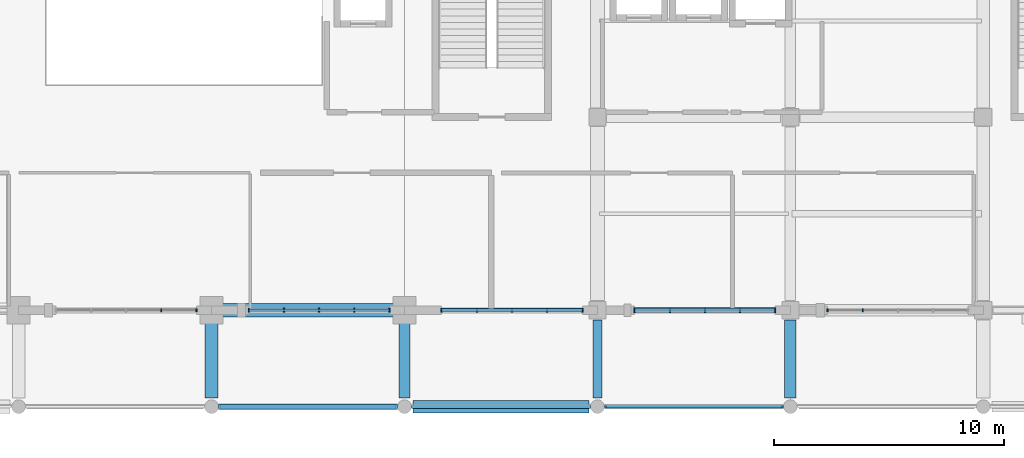
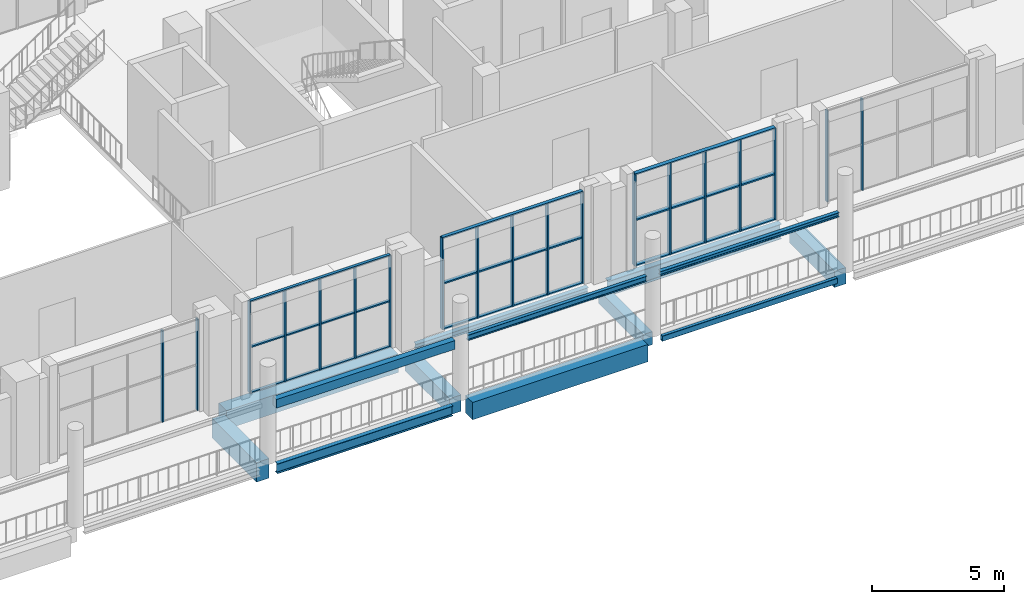
# One storey, part 22 of 75: 28 members, 13 beams, 5 elements without a shape of their own.
"""IFC4 building model written with IfcOpenShell, lengths in metres."""

from ifc_helpers import new_model, si_unit, derived_unit, direction, frame, origin, origin_2d, place, context, subcontext, project, spatial, rectangle, hollow_rectangle, i_section, extrude, material, material_profile, profile_set, type_object, element, aggregate, save


model = new_model("IFC4")

# Units and contexts
model_context = context("Model", 3, precision=1e-05, world=origin(), true_north=direction((0.0, 1.0)))
body_context = subcontext(model_context, "Body", "Model", "MODEL_VIEW")
ifc_project = project(units=[si_unit("LENGTHUNIT", "METRE"), si_unit("AREAUNIT", "SQUARE_METRE"), si_unit("VOLUMEUNIT", "CUBIC_METRE"), si_unit("PLANEANGLEUNIT", "RADIAN"), si_unit("MASSUNIT", "GRAM", prefix="KILO"), derived_unit("THERMALTRANSMITTANCEUNIT", [(si_unit("POWERUNIT", "WATT"), 1), (si_unit("LENGTHUNIT", "METRE"), -2), (si_unit("THERMODYNAMICTEMPERATUREUNIT", "KELVIN"), -1)])], contexts=[model_context])

# Site, building, storey
site_placement = place(None, origin())
site = spatial("IfcSite", under=ifc_project, at=site_placement, CompositionType="ELEMENT")
building_placement = place(site_placement, origin())
building = spatial("IfcBuilding", under=site, at=building_placement, Name="Barrovel Congress Hotel", CompositionType="ELEMENT")
storey_placement = place(building_placement, frame((0.0, 0.0, 5.39990234375)))
storey = spatial("IfcBuildingStorey", under=building, at=storey_placement, Name="L01", CompositionType="ELEMENT", Elevation=5.39990234375)

# Beams
ifc_material_1 = material(Name="Concrete C40", Category="concrete")
ifc_material_profile_1 = material_profile(ifc_material_1, rectangle(XDim=0.25, YDim=0.39990234375, at=origin_2d()), Name="RC250x400")
ifc_profile_set_1 = profile_set([ifc_material_profile_1], Name="Concrete C40")
beam_type_1 = type_object("IfcBeamType", Name="BM-RC250x400", PredefinedType="LINTEL", material=ifc_profile_set_1)
beam_1_placement = place(storey_placement, frame((67.5, 0.0, 2.550048828125), z_axis=(1.0, 0.0, 0.0), x_axis=(0.0, 1.0, 0.0)))
element("IfcBeam", 1, at=beam_1_placement, inside=storey, type_object=beam_type_1, Name="LIN:L01:67.2-75.6", PredefinedType="LINTEL", context=body_context, shape_type="SweptSolid", body=[
    extrude(rectangle(XDim=0.25, YDim=0.39990234375, at=origin_2d()), origin(), (0.0, 0.0, 1.0), 7.800048828125),
])
ifc_material_profile_2 = material_profile(ifc_material_1, rectangle(XDim=0.39990234375, YDim=0.60009765625, at=origin_2d()), Name="RC400x600")
ifc_profile_set_2 = profile_set([ifc_material_profile_2], Name="Concrete C40")
beam_type_2 = type_object("IfcBeamType", Name="BM-RC400x600", PredefinedType="BEAM", material=ifc_profile_set_2)
beam_2_placement = place(storey_placement, frame((84.0, 0.375, -0.559814453125), z_axis=(0.0, 1.0, 0.0), x_axis=(-1.0, 0.0, 0.0)))
element("IfcBeam", 2, at=beam_2_placement, inside=storey, type_object=beam_type_2, Name="BMY:L01:84.0:0.0-4.2", PredefinedType="BEAM", context=body_context, shape_type="SweptSolid", body=[
    extrude(rectangle(XDim=0.39990234375, YDim=0.60009765625, at=origin_2d()), origin(), (0.0, 0.0, 1.0), 3.39990234375),
])
ifc_material_profile_3 = material_profile(ifc_material_1, rectangle(XDim=0.5, YDim=0.75, at=origin_2d()), Name="RC500x750")
ifc_profile_set_3 = profile_set([ifc_material_profile_3], Name="Concrete C40")
beam_type_3 = type_object("IfcBeamType", Name="BM-RC500x750", PredefinedType="BEAM", material=ifc_profile_set_3)
beam_3_placement = place(storey_placement, frame((75.60009765625, 0.375, -0.635009765625), z_axis=(0.0, 1.0, 0.0), x_axis=(-1.0, 0.0, 0.0)))
element("IfcBeam", 3, at=beam_3_placement, inside=storey, type_object=beam_type_3, Name="BMY:L01:75.6:0.0-4.2", PredefinedType="BEAM", context=body_context, shape_type="SweptSolid", body=[
    extrude(rectangle(XDim=0.5, YDim=0.75, at=origin_2d()), origin(), (0.0, 0.0, 1.0), 3.375),
])
beam_4_placement = place(storey_placement, frame((92.39990234375, 0.375, -0.635009765625), z_axis=(0.0, 1.0, 0.0), x_axis=(-1.0, 0.0, 0.0)))
element("IfcBeam", 4, at=beam_4_placement, inside=storey, type_object=beam_type_3, Name="BMY:L01:92.4:0.0-4.2", PredefinedType="BEAM", context=body_context, shape_type="SweptSolid", body=[
    extrude(rectangle(XDim=0.5, YDim=0.75, at=origin_2d()), origin(), (0.0, 0.0, 1.0), 3.39990234375),
])
ifc_material_profile_4 = material_profile(ifc_material_1, rectangle(XDim=0.550048828125, YDim=0.800048828125, at=origin_2d()), Name="RC550x800")
ifc_profile_set_4 = profile_set([ifc_material_profile_4], Name="Concrete C40")
beam_type_4 = type_object("IfcBeamType", Name="BM-RC550x800", PredefinedType="BEAM", material=ifc_profile_set_4)
beam_5_placement = place(storey_placement, frame((75.97509765625, 0.0, -0.659912109375), z_axis=(1.0, 0.0, 0.0), x_axis=(0.0, 1.0, 0.0)))
element("IfcBeam", 5, at=beam_5_placement, inside=storey, type_object=beam_type_4, Name="BMX:L01:0.0:75.6-84.0", PredefinedType="BEAM", context=body_context, shape_type="SweptSolid", body=[
    extrude(rectangle(XDim=0.550048828125, YDim=0.800048828125, at=origin_2d()), origin(), (0.0, 0.0, 1.0), 7.64990234375),
])
ifc_material_profile_5 = material_profile(ifc_material_1, rectangle(XDim=0.550048828125, YDim=0.89990234375, at=origin_2d()), Name="RC550x900")
ifc_profile_set_5 = profile_set([ifc_material_profile_5], Name="Concrete C40")
beam_type_5 = type_object("IfcBeamType", Name="BM-RC550x900", PredefinedType="BEAM", material=ifc_profile_set_5)
beam_6_placement = place(storey_placement, frame((67.199951171875, 0.375, -0.7099609375), z_axis=(0.0, 1.0, 0.0), x_axis=(-1.0, 0.0, 0.0)))
element("IfcBeam", 6, at=beam_6_placement, inside=storey, type_object=beam_type_5, Name="BMY:L01:67.2:0.0-4.2", PredefinedType="BEAM", context=body_context, shape_type="SweptSolid", body=[
    extrude(rectangle(XDim=0.550048828125, YDim=0.89990234375, at=origin_2d()), origin(), (0.0, 0.0, 1.0), 3.375),
])
ifc_material_profile_6 = material_profile(ifc_material_1, rectangle(XDim=0.60009765625, YDim=0.85009765625, at=origin_2d()), Name="RC600x850")
ifc_profile_set_6 = profile_set([ifc_material_profile_6], Name="Concrete C40")
beam_type_6 = type_object("IfcBeamType", Name="BM-RC600x850", PredefinedType="BEAM", material=ifc_profile_set_6)
beam_7_placement = place(storey_placement, frame((67.64990234375, 4.199951171875, -0.684814453125), z_axis=(1.0, 0.0, 0.0), x_axis=(0.0, 1.0, 0.0)))
element("IfcBeam", 7, at=beam_7_placement, inside=storey, type_object=beam_type_6, Name="BMX:L01:4.2:67.2-75.6", PredefinedType="BEAM", context=body_context, shape_type="SweptSolid", body=[
    extrude(rectangle(XDim=0.60009765625, YDim=0.85009765625, at=origin_2d()), origin(), (0.0, 0.0, 1.0), 7.5),
])

# Curtain wall, members
ifc_material_2 = material(Name="Anodised Aluminium Alloy 6063-T6", Category="aluminium")
curtain_wall_type = type_object("IfcCurtainWallType", Name="CW-ST-7200x3900", PredefinedType="USERDEFINED", material=ifc_material_2)
curtain_wall_1_placement = place(storey_placement, origin())
curtain_wall_1 = element("IfcCurtainWall", 8, at=curtain_wall_1_placement, inside=storey, type_object=curtain_wall_type, Name="CW:L01:S:07", ObjectType="STICK CURTAIN WALL", PredefinedType="USERDEFINED")
ifc_material_profile_7 = material_profile(ifc_material_2, rectangle(XDim=0.06005859375, YDim=0.139892578125, at=origin_2d()), Name="AL-M60x140")
ifc_profile_set_7 = profile_set([ifc_material_profile_7], Name="Anodised Aluminium Alloy 6063-T6")
member_type_1 = type_object("IfcMemberType", Name="CWM-AL-M60x140", PredefinedType="MULLION", material=ifc_profile_set_7)
member_1_placement = place(storey_placement, frame((65.010009765625, 4.199951171875, 0.0), z_axis=(0.0, 0.0, 1.0), x_axis=(1.0, 0.0, 0.0)))
member_1 = element("IfcMember", 9, at=member_1_placement, type_object=member_type_1, Name="CW:L01:S:07:M3", PredefinedType="MULLION", context=body_context, shape_type="SweptSolid", body=[
    extrude(rectangle(XDim=0.06005859375, YDim=0.139892578125, at=origin_2d()), origin(), (0.0, 0.0, 1.0), 4.22021484375),
])
member_2_placement = place(storey_placement, frame((66.5400390625, 4.199951171875, 0.0), z_axis=(0.0, 0.0, 1.0), x_axis=(1.0, 0.0, 0.0)))
member_2 = element("IfcMember", 10, at=member_2_placement, type_object=member_type_1, Name="CW:L01:S:07:M4", PredefinedType="MULLION", context=body_context, shape_type="SweptSolid", body=[
    extrude(rectangle(XDim=0.06005859375, YDim=0.139892578125, at=origin_2d()), origin(), (0.0, 0.0, 1.0), 4.22021484375),
])
aggregate(curtain_wall_1, [member_1, member_2])

curtain_wall_2_placement = place(storey_placement, origin())
curtain_wall_2 = element("IfcCurtainWall", 11, at=curtain_wall_2_placement, inside=storey, type_object=curtain_wall_type, Name="CW:L01:S:11", ObjectType="STICK CURTAIN WALL", PredefinedType="USERDEFINED")
member_3_placement = place(storey_placement, frame((94.02001953125, 4.199951171875, 0.0), z_axis=(0.0, 0.0, 1.0), x_axis=(1.0, 0.0, 0.0)))
member_3 = element("IfcMember", 12, at=member_3_placement, type_object=member_type_1, Name="CW:L01:S:11:M0", PredefinedType="MULLION", context=body_context, shape_type="SweptSolid", body=[
    extrude(rectangle(XDim=0.06005859375, YDim=0.139892578125, at=origin_2d()), origin(), (0.0, 0.0, 1.0), 4.22021484375),
])
member_4_placement = place(storey_placement, frame((95.550048828125, 4.199951171875, 0.0), z_axis=(0.0, 0.0, 1.0), x_axis=(1.0, 0.0, 0.0)))
member_4 = element("IfcMember", 13, at=member_4_placement, type_object=member_type_1, Name="CW:L01:S:11:M1", PredefinedType="MULLION", context=body_context, shape_type="SweptSolid", body=[
    extrude(rectangle(XDim=0.06005859375, YDim=0.139892578125, at=origin_2d()), origin(), (0.0, 0.0, 1.0), 4.22021484375),
])
aggregate(curtain_wall_2, [member_3, member_4])

curtain_wall_3_placement = place(storey_placement, origin())
curtain_wall_3 = element("IfcCurtainWall", 14, at=curtain_wall_3_placement, inside=storey, type_object=curtain_wall_type, Name="CW:L01:S:08", ObjectType="STICK CURTAIN WALL", PredefinedType="USERDEFINED")
ifc_material_profile_8 = material_profile(ifc_material_2, rectangle(XDim=0.06005859375, YDim=0.1650390625, at=origin_2d()), Name="AL-M60x165")
ifc_profile_set_8 = profile_set([ifc_material_profile_8], Name="Anodised Aluminium Alloy 6063-T6")
member_type_2 = type_object("IfcMemberType", Name="CWM-AL-M60x165", PredefinedType="MULLION", material=ifc_profile_set_8)
member_5_placement = place(storey_placement, frame((68.820068359375, 4.199951171875, 0.0), z_axis=(0.0, 0.0, 1.0), x_axis=(1.0, 0.0, 0.0)))
member_5 = element("IfcMember", 15, at=member_5_placement, type_object=member_type_2, Name="CW:L01:S:08:M0", PredefinedType="MULLION", context=body_context, shape_type="SweptSolid", body=[
    extrude(rectangle(XDim=0.06005859375, YDim=0.1650390625, at=origin_2d()), origin(), (0.0, 0.0, 1.0), 4.22021484375),
])
member_6_placement = place(storey_placement, frame((70.35009765625, 4.199951171875, 0.0), z_axis=(0.0, 0.0, 1.0), x_axis=(1.0, 0.0, 0.0)))
member_6 = element("IfcMember", 16, at=member_6_placement, type_object=member_type_2, Name="CW:L01:S:08:M1", PredefinedType="MULLION", context=body_context, shape_type="SweptSolid", body=[
    extrude(rectangle(XDim=0.06005859375, YDim=0.1650390625, at=origin_2d()), origin(), (0.0, 0.0, 1.0), 4.22021484375),
])
member_7_placement = place(storey_placement, frame((71.8798828125, 4.199951171875, 0.0), z_axis=(0.0, 0.0, 1.0), x_axis=(1.0, 0.0, 0.0)))
member_7 = element("IfcMember", 17, at=member_7_placement, type_object=member_type_2, Name="CW:L01:S:08:M2", PredefinedType="MULLION", context=body_context, shape_type="SweptSolid", body=[
    extrude(rectangle(XDim=0.06005859375, YDim=0.1650390625, at=origin_2d()), origin(), (0.0, 0.0, 1.0), 4.22021484375),
])
member_8_placement = place(storey_placement, frame((73.409912109375, 4.199951171875, 0.0), z_axis=(0.0, 0.0, 1.0), x_axis=(1.0, 0.0, 0.0)))
member_8 = element("IfcMember", 18, at=member_8_placement, type_object=member_type_2, Name="CW:L01:S:08:M3", PredefinedType="MULLION", context=body_context, shape_type="SweptSolid", body=[
    extrude(rectangle(XDim=0.06005859375, YDim=0.1650390625, at=origin_2d()), origin(), (0.0, 0.0, 1.0), 4.22021484375),
])
member_9_placement = place(storey_placement, frame((74.93994140625, 4.199951171875, 0.0), z_axis=(0.0, 0.0, 1.0), x_axis=(1.0, 0.0, 0.0)))
member_9 = element("IfcMember", 19, at=member_9_placement, type_object=member_type_2, Name="CW:L01:S:08:M4", PredefinedType="MULLION", context=body_context, shape_type="SweptSolid", body=[
    extrude(rectangle(XDim=0.06005859375, YDim=0.1650390625, at=origin_2d()), origin(), (0.0, 0.0, 1.0), 4.22021484375),
])

curtain_wall_4_placement = place(storey_placement, origin())
curtain_wall_4 = element("IfcCurtainWall", 20, at=curtain_wall_4_placement, inside=storey, type_object=curtain_wall_type, Name="CW:L01:S:09", ObjectType="STICK CURTAIN WALL", PredefinedType="USERDEFINED")
ifc_material_profile_9 = material_profile(ifc_material_2, rectangle(XDim=0.06494140625, YDim=0.18994140625, at=origin_2d()), Name="AL-M65x190")
ifc_profile_set_9 = profile_set([ifc_material_profile_9], Name="Anodised Aluminium Alloy 6063-T6")
member_type_3 = type_object("IfcMemberType", Name="CWM-AL-M65x190", PredefinedType="MULLION", material=ifc_profile_set_9)
member_10_placement = place(storey_placement, frame((77.219970703125, 4.199951171875, 0.0), z_axis=(0.0, 0.0, 1.0), x_axis=(1.0, 0.0, 0.0)))
member_10 = element("IfcMember", 21, at=member_10_placement, type_object=member_type_3, Name="CW:L01:S:09:M0", PredefinedType="MULLION", context=body_context, shape_type="SweptSolid", body=[
    extrude(rectangle(XDim=0.06494140625, YDim=0.18994140625, at=origin_2d()), origin(), (0.0, 0.0, 1.0), 4.22021484375),
])
member_11_placement = place(storey_placement, frame((78.75, 4.199951171875, 0.0), z_axis=(0.0, 0.0, 1.0), x_axis=(1.0, 0.0, 0.0)))
member_11 = element("IfcMember", 22, at=member_11_placement, type_object=member_type_3, Name="CW:L01:S:09:M1", PredefinedType="MULLION", context=body_context, shape_type="SweptSolid", body=[
    extrude(rectangle(XDim=0.06494140625, YDim=0.18994140625, at=origin_2d()), origin(), (0.0, 0.0, 1.0), 4.22021484375),
])
member_12_placement = place(storey_placement, frame((80.280029296875, 4.199951171875, 0.0), z_axis=(0.0, 0.0, 1.0), x_axis=(1.0, 0.0, 0.0)))
member_12 = element("IfcMember", 23, at=member_12_placement, type_object=member_type_3, Name="CW:L01:S:09:M2", PredefinedType="MULLION", context=body_context, shape_type="SweptSolid", body=[
    extrude(rectangle(XDim=0.06494140625, YDim=0.18994140625, at=origin_2d()), origin(), (0.0, 0.0, 1.0), 4.22021484375),
])
member_13_placement = place(storey_placement, frame((81.81005859375, 4.199951171875, 0.0), z_axis=(0.0, 0.0, 1.0), x_axis=(1.0, 0.0, 0.0)))
member_13 = element("IfcMember", 24, at=member_13_placement, type_object=member_type_3, Name="CW:L01:S:09:M3", PredefinedType="MULLION", context=body_context, shape_type="SweptSolid", body=[
    extrude(rectangle(XDim=0.06494140625, YDim=0.18994140625, at=origin_2d()), origin(), (0.0, 0.0, 1.0), 4.22021484375),
])
member_14_placement = place(storey_placement, frame((83.340087890625, 4.199951171875, 0.0), z_axis=(0.0, 0.0, 1.0), x_axis=(1.0, 0.0, 0.0)))
member_14 = element("IfcMember", 25, at=member_14_placement, type_object=member_type_3, Name="CW:L01:S:09:M4", PredefinedType="MULLION", context=body_context, shape_type="SweptSolid", body=[
    extrude(rectangle(XDim=0.06494140625, YDim=0.18994140625, at=origin_2d()), origin(), (0.0, 0.0, 1.0), 4.22021484375),
])

curtain_wall_5_placement = place(storey_placement, origin())
curtain_wall_5 = element("IfcCurtainWall", 26, at=curtain_wall_5_placement, inside=storey, type_object=curtain_wall_type, Name="CW:L01:S:10", ObjectType="STICK CURTAIN WALL", PredefinedType="USERDEFINED")
ifc_material_profile_10 = material_profile(ifc_material_2, rectangle(XDim=0.06494140625, YDim=0.219970703125, at=origin_2d()), Name="AL-M65x220")
ifc_profile_set_10 = profile_set([ifc_material_profile_10], Name="Anodised Aluminium Alloy 6063-T6")
member_type_4 = type_object("IfcMemberType", Name="CWM-AL-M65x220", PredefinedType="MULLION", material=ifc_profile_set_10)
member_15_placement = place(storey_placement, frame((85.6201171875, 4.199951171875, 0.0), z_axis=(0.0, 0.0, 1.0), x_axis=(1.0, 0.0, 0.0)))
member_15 = element("IfcMember", 27, at=member_15_placement, type_object=member_type_4, Name="CW:L01:S:10:M0", PredefinedType="MULLION", context=body_context, shape_type="SweptSolid", body=[
    extrude(rectangle(XDim=0.06494140625, YDim=0.219970703125, at=origin_2d()), origin(), (0.0, 0.0, 1.0), 4.22021484375),
])
member_16_placement = place(storey_placement, frame((87.14990234375, 4.199951171875, 0.0), z_axis=(0.0, 0.0, 1.0), x_axis=(1.0, 0.0, 0.0)))
member_16 = element("IfcMember", 28, at=member_16_placement, type_object=member_type_4, Name="CW:L01:S:10:M1", PredefinedType="MULLION", context=body_context, shape_type="SweptSolid", body=[
    extrude(rectangle(XDim=0.06494140625, YDim=0.219970703125, at=origin_2d()), origin(), (0.0, 0.0, 1.0), 4.22021484375),
])
member_17_placement = place(storey_placement, frame((88.679931640625, 4.199951171875, 0.0), z_axis=(0.0, 0.0, 1.0), x_axis=(1.0, 0.0, 0.0)))
member_17 = element("IfcMember", 29, at=member_17_placement, type_object=member_type_4, Name="CW:L01:S:10:M2", PredefinedType="MULLION", context=body_context, shape_type="SweptSolid", body=[
    extrude(rectangle(XDim=0.06494140625, YDim=0.219970703125, at=origin_2d()), origin(), (0.0, 0.0, 1.0), 4.22021484375),
])
member_18_placement = place(storey_placement, frame((90.2099609375, 4.199951171875, 0.0), z_axis=(0.0, 0.0, 1.0), x_axis=(1.0, 0.0, 0.0)))
member_18 = element("IfcMember", 30, at=member_18_placement, type_object=member_type_4, Name="CW:L01:S:10:M3", PredefinedType="MULLION", context=body_context, shape_type="SweptSolid", body=[
    extrude(rectangle(XDim=0.06494140625, YDim=0.219970703125, at=origin_2d()), origin(), (0.0, 0.0, 1.0), 4.22021484375),
])
member_19_placement = place(storey_placement, frame((91.739990234375, 4.199951171875, 0.0), z_axis=(0.0, 0.0, 1.0), x_axis=(1.0, 0.0, 0.0)))
member_19 = element("IfcMember", 31, at=member_19_placement, type_object=member_type_4, Name="CW:L01:S:10:M4", PredefinedType="MULLION", context=body_context, shape_type="SweptSolid", body=[
    extrude(rectangle(XDim=0.06494140625, YDim=0.219970703125, at=origin_2d()), origin(), (0.0, 0.0, 1.0), 4.22021484375),
])

# Member
ifc_material_profile_11 = material_profile(ifc_material_2, rectangle(XDim=0.125, YDim=0.06005859375, at=origin_2d()), Name="AL-T60x125")
ifc_profile_set_11 = profile_set([ifc_material_profile_11], Name="Anodised Aluminium Alloy 6063-T6")
member_type_5 = type_object("IfcMemberType", Name="CWT-AL-T60x125", PredefinedType="USERDEFINED", material=ifc_profile_set_11)
member_20_placement = place(storey_placement, frame((68.820068359375, 4.199951171875, 0.0), z_axis=(1.0, 0.0, 0.0), x_axis=(0.0, 1.0, 0.0)))
member_20 = element("IfcMember", 32, at=member_20_placement, type_object=member_type_5, Name="CW:L01:S:08:T0", ObjectType="TRANSOM", PredefinedType="USERDEFINED", context=body_context, shape_type="SweptSolid", body=[
    extrude(rectangle(XDim=0.125, YDim=0.06005859375, at=origin_2d()), origin(), (0.0, 0.0, 1.0), 6.119873046875),
])

member_21_placement = place(storey_placement, frame((68.820068359375, 4.199951171875, 2.110107421875), z_axis=(1.0, 0.0, 0.0), x_axis=(0.0, 1.0, 0.0)))
member_21 = element("IfcMember", 33, at=member_21_placement, type_object=member_type_5, Name="CW:L01:S:08:T1", ObjectType="TRANSOM", PredefinedType="USERDEFINED", context=body_context, shape_type="SweptSolid", body=[
    extrude(rectangle(XDim=0.125, YDim=0.06005859375, at=origin_2d()), origin(), (0.0, 0.0, 1.0), 6.119873046875),
])

member_22_placement = place(storey_placement, frame((68.820068359375, 4.199951171875, 4.22021484375), z_axis=(1.0, 0.0, 0.0), x_axis=(0.0, 1.0, 0.0)))
member_22 = element("IfcMember", 34, at=member_22_placement, type_object=member_type_5, Name="CW:L01:S:08:T2", ObjectType="TRANSOM", PredefinedType="USERDEFINED", context=body_context, shape_type="SweptSolid", body=[
    extrude(rectangle(XDim=0.125, YDim=0.06005859375, at=origin_2d()), origin(), (0.0, 0.0, 1.0), 6.119873046875),
])

aggregate(curtain_wall_3, [member_5, member_6, member_7, member_8, member_9, member_20, member_21, member_22])

ifc_material_profile_12 = material_profile(ifc_material_2, rectangle(XDim=0.14990234375, YDim=0.06494140625, at=origin_2d()), Name="AL-T65x150")
ifc_profile_set_12 = profile_set([ifc_material_profile_12], Name="Anodised Aluminium Alloy 6063-T6")
member_type_6 = type_object("IfcMemberType", Name="CWT-AL-T65x150", PredefinedType="USERDEFINED", material=ifc_profile_set_12)
member_23_placement = place(storey_placement, frame((77.219970703125, 4.199951171875, 0.0), z_axis=(1.0, 0.0, 0.0), x_axis=(0.0, 1.0, 0.0)))
member_23 = element("IfcMember", 35, at=member_23_placement, type_object=member_type_6, Name="CW:L01:S:09:T0", ObjectType="TRANSOM", PredefinedType="USERDEFINED", context=body_context, shape_type="SweptSolid", body=[
    extrude(rectangle(XDim=0.14990234375, YDim=0.06494140625, at=origin_2d()), origin(), (0.0, 0.0, 1.0), 6.1201171875),
])

member_24_placement = place(storey_placement, frame((77.219970703125, 4.199951171875, 2.110107421875), z_axis=(1.0, 0.0, 0.0), x_axis=(0.0, 1.0, 0.0)))
member_24 = element("IfcMember", 36, at=member_24_placement, type_object=member_type_6, Name="CW:L01:S:09:T1", ObjectType="TRANSOM", PredefinedType="USERDEFINED", context=body_context, shape_type="SweptSolid", body=[
    extrude(rectangle(XDim=0.14990234375, YDim=0.06494140625, at=origin_2d()), origin(), (0.0, 0.0, 1.0), 6.1201171875),
])

member_25_placement = place(storey_placement, frame((77.219970703125, 4.199951171875, 4.22021484375), z_axis=(1.0, 0.0, 0.0), x_axis=(0.0, 1.0, 0.0)))
member_25 = element("IfcMember", 37, at=member_25_placement, type_object=member_type_6, Name="CW:L01:S:09:T2", ObjectType="TRANSOM", PredefinedType="USERDEFINED", context=body_context, shape_type="SweptSolid", body=[
    extrude(rectangle(XDim=0.14990234375, YDim=0.06494140625, at=origin_2d()), origin(), (0.0, 0.0, 1.0), 6.1201171875),
])

aggregate(curtain_wall_4, [member_10, member_11, member_12, member_13, member_14, member_23, member_24, member_25])

ifc_material_profile_13 = material_profile(ifc_material_2, rectangle(XDim=0.179931640625, YDim=0.06494140625, at=origin_2d()), Name="AL-T65x180")
ifc_profile_set_13 = profile_set([ifc_material_profile_13], Name="Anodised Aluminium Alloy 6063-T6")
member_type_7 = type_object("IfcMemberType", Name="CWT-AL-T65x180", PredefinedType="USERDEFINED", material=ifc_profile_set_13)
member_26_placement = place(storey_placement, frame((85.6201171875, 4.199951171875, 0.0), z_axis=(1.0, 0.0, 0.0), x_axis=(0.0, 1.0, 0.0)))
member_26 = element("IfcMember", 38, at=member_26_placement, type_object=member_type_7, Name="CW:L01:S:10:T0", ObjectType="TRANSOM", PredefinedType="USERDEFINED", context=body_context, shape_type="SweptSolid", body=[
    extrude(rectangle(XDim=0.179931640625, YDim=0.06494140625, at=origin_2d()), origin(), (0.0, 0.0, 1.0), 6.119873046875),
])

member_27_placement = place(storey_placement, frame((85.6201171875, 4.199951171875, 2.110107421875), z_axis=(1.0, 0.0, 0.0), x_axis=(0.0, 1.0, 0.0)))
member_27 = element("IfcMember", 39, at=member_27_placement, type_object=member_type_7, Name="CW:L01:S:10:T1", ObjectType="TRANSOM", PredefinedType="USERDEFINED", context=body_context, shape_type="SweptSolid", body=[
    extrude(rectangle(XDim=0.179931640625, YDim=0.06494140625, at=origin_2d()), origin(), (0.0, 0.0, 1.0), 6.119873046875),
])

member_28_placement = place(storey_placement, frame((85.6201171875, 4.199951171875, 4.22021484375), z_axis=(1.0, 0.0, 0.0), x_axis=(0.0, 1.0, 0.0)))
member_28 = element("IfcMember", 40, at=member_28_placement, type_object=member_type_7, Name="CW:L01:S:10:T2", ObjectType="TRANSOM", PredefinedType="USERDEFINED", context=body_context, shape_type="SweptSolid", body=[
    extrude(rectangle(XDim=0.179931640625, YDim=0.06494140625, at=origin_2d()), origin(), (0.0, 0.0, 1.0), 6.119873046875),
])

aggregate(curtain_wall_5, [member_15, member_16, member_17, member_18, member_19, member_26, member_27, member_28])

# Beams
ifc_material_3 = material(Name="Steel ASTM A500 Grade C", Category="steel")
ifc_material_profile_14 = material_profile(ifc_material_3, hollow_rectangle(XDim=0.15234375, YDim=0.25390625, WallThickness=0.0087890625, InnerFilletRadius=0.0087890625, OuterFilletRadius=0.017578125, at=origin_2d()), Name="HSS254x152x9.5")
ifc_profile_set_14 = profile_set([ifc_material_profile_14], Name="Steel ASTM A500 Grade C")
beam_type_7 = type_object("IfcBeamType", Name="SBM-HSS254x152x9.5", PredefinedType="SPANDREL", material=ifc_profile_set_14)
beam_8_placement = place(storey_placement, frame((84.375, 0.0, -0.386962890625), z_axis=(1.0, 0.0, 0.0), x_axis=(0.0, 1.0, 0.0)))
element("IfcBeam", 41, at=beam_8_placement, inside=storey, type_object=beam_type_7, Name="BMX:L01:0.0:84.0-92.4", PredefinedType="SPANDREL", context=body_context, shape_type="SweptSolid", body=[
    extrude(hollow_rectangle(XDim=0.15234375, YDim=0.25390625, WallThickness=0.0087890625, InnerFilletRadius=0.0087890625, OuterFilletRadius=0.017578125, at=origin_2d()), origin(), (0.0, 0.0, 1.0), 7.64990234375),
])
ifc_material_4 = material(Name="Steel ASTM A992 Grade 50", Category="steel")
ifc_material_profile_15 = material_profile(ifc_material_4, i_section(OverallWidth=0.166015625, OverallDepth=0.205078125, WebThickness=0.007080078125, FlangeThickness=0.01171875, FilletRadius=0.010009765625, at=origin_2d()), Name="W200x42")
ifc_profile_set_15 = profile_set([ifc_material_profile_15], Name="Steel ASTM A992 Grade 50")
beam_type_8 = type_object("IfcBeamType", Name="SBM-W200x42", PredefinedType="LINTEL", material=ifc_profile_set_15)
beam_9_placement = place(storey_placement, frame((84.300048828125, 0.0, 2.647705078125), z_axis=(1.0, 0.0, 0.0), x_axis=(0.0, 1.0, 0.0)))
element("IfcBeam", 42, at=beam_9_placement, inside=storey, type_object=beam_type_8, Name="LIN:L01:84.0-92.4", PredefinedType="LINTEL", context=body_context, shape_type="SweptSolid", body=[
    extrude(i_section(OverallWidth=0.166015625, OverallDepth=0.205078125, WebThickness=0.007080078125, FlangeThickness=0.01171875, FilletRadius=0.010009765625, at=origin_2d()), origin(), (0.0, 0.0, 1.0), 7.800048828125),
])
ifc_material_profile_16 = material_profile(ifc_material_4, i_section(OverallWidth=0.14599609375, OverallDepth=0.258056640625, WebThickness=0.006103515625, FlangeThickness=0.009033203125, FilletRadius=0.010009765625, at=origin_2d()), Name="W250x33")
ifc_profile_set_16 = profile_set([ifc_material_profile_16], Name="Steel ASTM A992 Grade 50")
beam_type_9 = type_object("IfcBeamType", Name="SBM-W250x33", PredefinedType="LINTEL", material=ifc_profile_set_16)
beam_10_placement = place(storey_placement, frame((75.89990234375, 0.0, 2.62109375), z_axis=(1.0, 0.0, 0.0), x_axis=(0.0, 1.0, 0.0)))
element("IfcBeam", 43, at=beam_10_placement, inside=storey, type_object=beam_type_9, Name="LIN:L01:75.6-84.0", PredefinedType="LINTEL", context=body_context, shape_type="SweptSolid", body=[
    extrude(i_section(OverallWidth=0.14599609375, OverallDepth=0.258056640625, WebThickness=0.006103515625, FlangeThickness=0.009033203125, FilletRadius=0.010009765625, at=origin_2d()), origin(), (0.0, 0.0, 1.0), 7.800048828125),
])
ifc_material_profile_17 = material_profile(ifc_material_4, i_section(OverallWidth=0.201904296875, OverallDepth=0.2470703125, WebThickness=0.00732421875, FlangeThickness=0.010986328125, FilletRadius=0.011962890625, at=origin_2d()), Name="W250x49")
ifc_profile_set_17 = profile_set([ifc_material_profile_17], Name="Steel ASTM A992 Grade 50")
beam_type_10 = type_object("IfcBeamType", Name="SBM-W250x49", PredefinedType="SPANDREL", material=ifc_profile_set_17)
beam_11_placement = place(storey_placement, frame((76.050048828125, 4.199951171875, -0.38330078125), z_axis=(1.0, 0.0, 0.0), x_axis=(0.0, 1.0, 0.0)))
element("IfcBeam", 44, at=beam_11_placement, inside=storey, type_object=beam_type_10, Name="BMX:L01:4.2:75.6-84.0", PredefinedType="SPANDREL", context=body_context, shape_type="SweptSolid", body=[
    extrude(i_section(OverallWidth=0.201904296875, OverallDepth=0.2470703125, WebThickness=0.00732421875, FlangeThickness=0.010986328125, FilletRadius=0.011962890625, at=origin_2d()), origin(), (0.0, 0.0, 1.0), 7.52490234375),
])
ifc_material_profile_18 = material_profile(ifc_material_4, i_section(OverallWidth=0.19091796875, OverallDepth=0.4599609375, WebThickness=0.010009765625, FlangeThickness=0.01611328125, FilletRadius=0.012939453125, at=origin_2d()), Name="W460x82")
ifc_profile_set_18 = profile_set([ifc_material_profile_18], Name="Steel ASTM A992 Grade 50")
beam_type_11 = type_object("IfcBeamType", Name="SBM-W460x82", PredefinedType="BEAM", material=ifc_profile_set_18)
beam_12_placement = place(storey_placement, frame((67.574951171875, 0.0, -0.489990234375), z_axis=(1.0, 0.0, 0.0), x_axis=(0.0, 1.0, 0.0)))
element("IfcBeam", 45, at=beam_12_placement, inside=storey, type_object=beam_type_11, Name="BMX:L01:0.0:67.2-75.6", PredefinedType="BEAM", context=body_context, shape_type="SweptSolid", body=[
    extrude(i_section(OverallWidth=0.19091796875, OverallDepth=0.4599609375, WebThickness=0.010009765625, FlangeThickness=0.01611328125, FilletRadius=0.012939453125, at=origin_2d()), origin(), (0.0, 0.0, 1.0), 7.650146484375),
])
ifc_material_profile_19 = material_profile(ifc_material_4, i_section(OverallWidth=0.25390625, OverallDepth=0.68408203125, WebThickness=0.012451171875, FlangeThickness=0.01904296875, FilletRadius=0.014892578125, at=origin_2d()), Name="W690x140")
ifc_profile_set_19 = profile_set([ifc_material_profile_19], Name="Steel ASTM A992 Grade 50")
beam_type_12 = type_object("IfcBeamType", Name="SBM-W690x140", PredefinedType="BEAM", material=ifc_profile_set_19)
beam_13_placement = place(storey_placement, frame((84.425048828125, 4.199951171875, -0.601806640625), z_axis=(1.0, 0.0, 0.0), x_axis=(0.0, 1.0, 0.0)))
element("IfcBeam", 46, at=beam_13_placement, inside=storey, type_object=beam_type_12, Name="BMX:L01:4.2:84.0-92.4", PredefinedType="BEAM", context=body_context, shape_type="SweptSolid", body=[
    extrude(i_section(OverallWidth=0.25390625, OverallDepth=0.68408203125, WebThickness=0.012451171875, FlangeThickness=0.01904296875, FilletRadius=0.014892578125, at=origin_2d()), origin(), (0.0, 0.0, 1.0), 7.550048828125),
])

save(model, "model.ifc")
